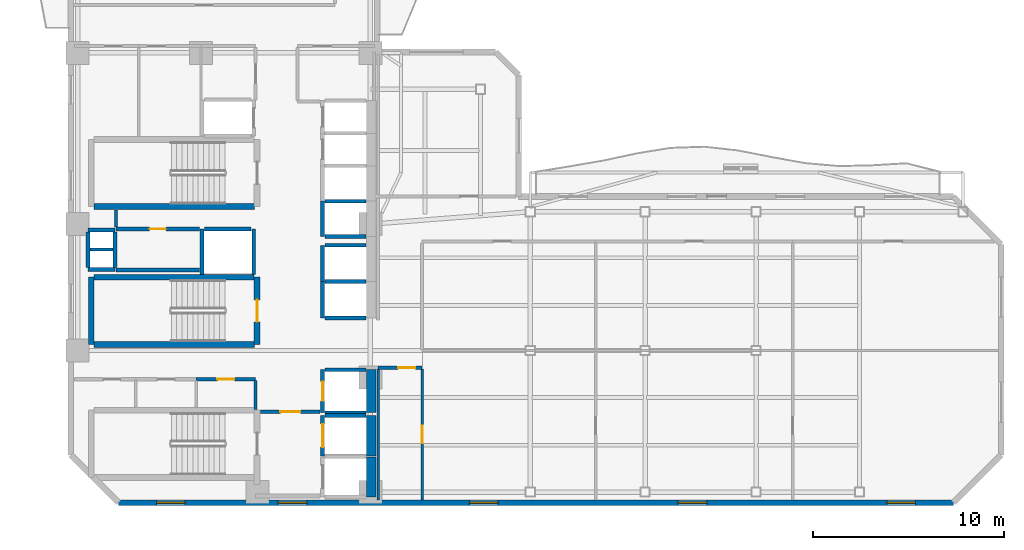
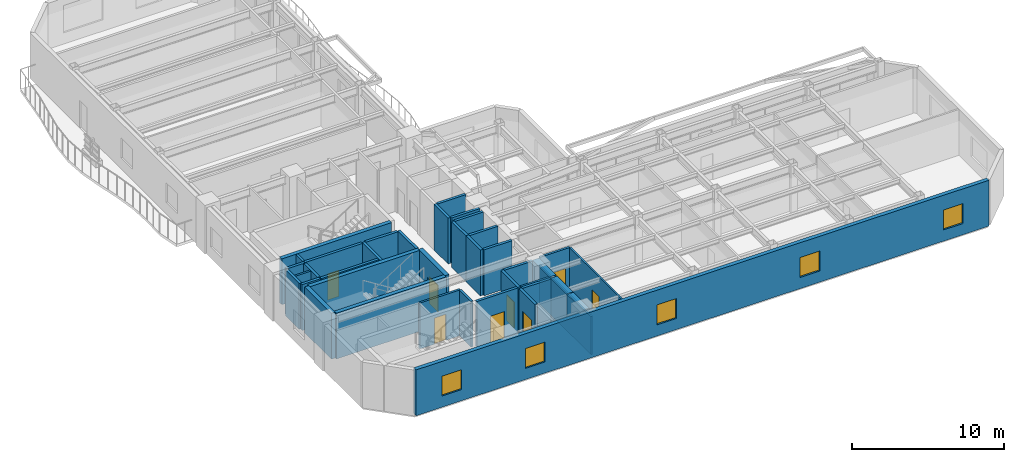
# One storey, part 3 of 9: 39 walls, 8 doors, 5 windows, 13 openings.
"""IFC4 building model written with IfcOpenShell, lengths in metres."""

from ifc_helpers import new_model, si_unit, direction, frame, frame_2d, origin, place, context, subcontext, project, spatial, rectangle, extrude, material, layer, layer_set, type_object, element, fill, save


model = new_model("IFC4")

# Units and contexts
model_context = context("Model", 3, precision=1e-05, world=origin(), true_north=direction((0.0, 1.0)))
body_context = subcontext(model_context, "Body", "Model", "MODEL_VIEW")
ifc_project = project(units=[si_unit("LENGTHUNIT", "METRE"), si_unit("AREAUNIT", "SQUARE_METRE"), si_unit("VOLUMEUNIT", "CUBIC_METRE"), si_unit("PLANEANGLEUNIT", "RADIAN"), si_unit("MASSUNIT", "GRAM", prefix="KILO")], contexts=[model_context])

# Site, building, storey
site_placement = place(None, origin())
site = spatial("IfcSite", under=ifc_project, at=site_placement, CompositionType="ELEMENT")
building_placement = place(site_placement, origin())
building = spatial("IfcBuilding", under=site, at=building_placement, Name="Mawjaban Terraces University", CompositionType="ELEMENT")
storey_placement = place(building_placement, frame((0.0, 0.0, 154.10009765625)))
storey = spatial("IfcBuildingStorey", under=building, at=storey_placement, Name="L37", CompositionType="ELEMENT", Elevation=154.10009765625)

# Walls
ifc_material_1 = material(Name="Concrete C60/75", Category="concrete")
ifc_layer_1 = layer(ifc_material_1, 0.5)
ifc_layer_set_1 = layer_set([ifc_layer_1], Name="Concrete C60/75")
wall_type_1 = type_object("IfcWallType", Name="CoreShearWall_500", PredefinedType="SHEAR", material=ifc_layer_set_1)
wall_1_placement = place(storey_placement, frame((37.699951171875, 0.300048828125, 0.0), z_axis=(0.0, 0.0, 1.0), x_axis=(0.0, 1.0, 0.0)))
element("IfcWall", 1, at=wall_1_placement, inside=storey, type_object=wall_type_1, Name="L37 Lift FL-1 Hoistway Wall East", PredefinedType="SHEAR", context=body_context, shape_type="SweptSolid", body=[
    extrude(rectangle(XDim=2.099853515625, YDim=0.5, at=frame_2d((1.0498046875, 0.0))), origin(), (0.0, 0.0, 1.0), 3.68994140625),
])
wall_2_placement = place(storey_placement, frame((37.699951171875, 2.449951171875, 0.0), z_axis=(0.0, 0.0, 1.0), x_axis=(0.0, 1.0, 0.0)))
element("IfcWall", 2, at=wall_2_placement, inside=storey, type_object=wall_type_1, Name="L37 Lift FL-2 Hoistway Wall East", PredefinedType="SHEAR", context=body_context, shape_type="SweptSolid", body=[
    extrude(rectangle(XDim=2.10009765625, YDim=0.5, at=frame_2d((1.050048828125, 0.0))), origin(), (0.0, 0.0, 1.0), 3.68994140625),
])
wall_3_placement = place(storey_placement, frame((37.699951171875, 4.699951171875, 0.0), z_axis=(0.0, 0.0, 1.0), x_axis=(0.0, 1.0, 0.0)))
element("IfcWall", 3, at=wall_3_placement, inside=storey, type_object=wall_type_1, Name="L37 Lift SL-1 Hoistway Wall East", PredefinedType="SHEAR", context=body_context, shape_type="SweptSolid", body=[
    extrude(rectangle(XDim=2.25, YDim=0.5, at=frame_2d((1.125, 0.0))), origin(), (0.0, 0.0, 1.0), 3.68994140625),
])

# Wall, opening, door
ifc_material_2 = material(Name="Fire-rated gypsum board on steel stud", Category="steel")
ifc_layer_2 = layer(ifc_material_2, 0.159912109375)
ifc_layer_set_2 = layer_set([ifc_layer_2], Name="Fire-rated gypsum board on steel stud")
wall_type_2 = type_object("IfcWallType", Name="CorridorPartition_160", PredefinedType="PARTITIONING", material=ifc_layer_set_2)
wall_4_placement = place(storey_placement, frame((28.550048828125, 6.449951171875, 0.0), z_axis=(0.0, 0.0, 1.0), x_axis=(1.0, 0.0, 0.0)))
wall_4 = element("IfcWall", 4, at=wall_4_placement, inside=storey, type_object=wall_type_2, Name="L37 Core Washroom Lobby Partition 6", PredefinedType="PARTITIONING", context=body_context, shape_type="SweptSolid", body=[
    extrude(rectangle(XDim=3.099853515625, YDim=0.159912109375, at=frame_2d((1.5498046875, 0.0))), origin(), (0.0, 0.0, 1.0), 3.68994140625),
])
opening_1_placement = place(wall_4_placement, frame((1.110107421875, 0.0, 0.0)))
opening_1 = element("IfcOpeningElement", 5, at=opening_1_placement, cuts=wall_4, Name="Opening ID-088", PredefinedType="OPENING", context=body_context, shape_type="SweptSolid", body=[
    extrude(rectangle(XDim=0.8798828125, YDim=2.10009765625, at=frame_2d((0.43994140625, 1.050048828125))), frame((0.0, 0.08984375, 0.0), z_axis=(0.0, -1.0, 0.0), x_axis=(1.0, 0.0, 0.0)), (0.0, 0.0, 1.0), 0.179931640625),
])
ifc_material_3 = material(Name="Powder-coated steel frame and solid acoustic timber leaf", Category="steel")
door_type_1 = type_object("IfcDoorType", Name="ToiletDoor_880x2100", OperationType="NOTDEFINED", PredefinedType="DOOR", material=ifc_material_3)
door_1_placement = place(opening_1_placement, origin())
door_1 = element("IfcDoor", 6, at=door_1_placement, inside=storey, type_object=door_type_1, Name="L37 Accessible Toilet Door", OperationType="SINGLE_SWING_LEFT", OverallHeight=2.10009765625, OverallWidth=0.8798828125, PredefinedType="DOOR", context=body_context, shape_type="SweptSolid", body=[
    extrude(rectangle(XDim=0.8798828125, YDim=2.10009765625, at=frame_2d((0.43994140625, 1.050048828125))), frame((0.0, 0.02490234375, 0.0), z_axis=(0.0, -1.0, 0.0), x_axis=(1.0, 0.0, 0.0)), (0.0, 0.0, 1.0), 0.050048828125),
])
fill(opening_1, door_1)

wall_5_placement = place(storey_placement, frame((38.050048828125, 7.050048828125, 0.0), z_axis=(0.0, 0.0, 1.0), x_axis=(1.0, 0.0, 0.0)))
wall_5 = element("IfcWall", 7, at=wall_5_placement, inside=storey, type_object=wall_type_2, Name="L37 Inner Gallery Link Corridor Partition 17", PredefinedType="PARTITIONING", context=body_context, shape_type="SweptSolid", body=[
    extrude(rectangle(XDim=2.300048828125, YDim=0.159912109375, at=frame_2d((1.14990234375, 0.0))), origin(), (0.0, 0.0, 1.0), 3.68994140625),
])
opening_2_placement = place(wall_5_placement, frame((1.050048828125, 0.0, 0.0)))
opening_2 = element("IfcOpeningElement", 8, at=opening_2_placement, cuts=wall_5, Name="Opening ID-090", PredefinedType="OPENING", context=body_context, shape_type="SweptSolid", body=[
    extrude(rectangle(XDim=0.89990234375, YDim=2.10009765625, at=frame_2d((0.449951171875, 1.050048828125))), frame((0.0, 0.08984375, 0.0), z_axis=(0.0, -1.0, 0.0), x_axis=(1.0, 0.0, 0.0)), (0.0, 0.0, 1.0), 0.179931640625),
])
door_type_2 = type_object("IfcDoorType", Name="OfficeDoor_900x2100", OperationType="NOTDEFINED", PredefinedType="DOOR", material=ifc_material_3)
door_2_placement = place(opening_2_placement, origin())
door_2 = element("IfcDoor", 9, at=door_2_placement, inside=storey, type_object=door_type_2, Name="L37 Academic Counseling Room 1 Door", OperationType="SINGLE_SWING_LEFT", OverallHeight=2.10009765625, OverallWidth=0.89990234375, PredefinedType="DOOR", context=body_context, shape_type="SweptSolid", body=[
    extrude(rectangle(XDim=0.89990234375, YDim=2.10009765625, at=frame_2d((0.449951171875, 1.050048828125))), frame((0.0, 0.02490234375, 0.0), z_axis=(0.0, -1.0, 0.0), x_axis=(1.0, 0.0, 0.0)), (0.0, 0.0, 1.0), 0.050048828125),
])
fill(opening_2, door_2)

# Walls
wall_6_placement = place(storey_placement, frame((24.35009765625, 15.2900390625, 0.0), z_axis=(0.0, 0.0, 1.0), x_axis=(0.0, -1.0, 0.0)))
element("IfcWall", 10, at=wall_6_placement, inside=storey, type_object=wall_type_2, Name="L37 Core Riser Access Passage Partition 26", PredefinedType="PARTITIONING", context=body_context, shape_type="SweptSolid", body=[
    extrude(rectangle(XDim=0.89501953125, YDim=0.159912109375, at=frame_2d((0.447509765625, 0.0))), origin(), (0.0, 0.0, 1.0), 3.68994140625),
])
wall_7_placement = place(storey_placement, frame((31.64990234375, 4.860107421875, 0.0), z_axis=(0.0, 0.0, 1.0), x_axis=(0.0, 1.0, 0.0)))
element("IfcWall", 11, at=wall_7_placement, inside=storey, type_object=wall_type_2, Name="L37 Accessible Toilet Partition 31", PredefinedType="PARTITIONING", context=body_context, shape_type="SweptSolid", body=[
    extrude(rectangle(XDim=1.514892578125, YDim=0.159912109375, at=frame_2d((0.75732421875, 0.0))), origin(), (0.0, 0.0, 1.0), 3.68994140625),
])

# Wall, openings, windows
ifc_material_4 = material(Name="Insulated terracotta rainscreen on concrete backup C40/50", Category="masonry")
ifc_layer_3 = layer(ifc_material_4, 0.300048828125)
ifc_layer_set_3 = layer_set([ifc_layer_3], Name="Insulated terracotta rainscreen on concrete backup C40/50")
wall_type_3 = type_object("IfcWallType", Name="ExtTerracottaWall_300", PredefinedType="SOLIDWALL", material=ifc_layer_set_3)
wall_8_placement = place(storey_placement, frame((24.5, 0.0, 0.0), z_axis=(0.0, 0.0, 1.0), x_axis=(1.0, 0.0, 0.0)))
wall_8 = element("IfcWall", 12, at=wall_8_placement, inside=storey, type_object=wall_type_3, Name="L37 Exterior Terracotta Wall 1", PredefinedType="SOLIDWALL", context=body_context, shape_type="SweptSolid", body=[
    extrude(rectangle(XDim=43.60009765625, YDim=0.300048828125, at=frame_2d((21.800048828125, 0.0))), origin(), (0.0, 0.0, 1.0), 3.68994140625),
])
opening_3_placement = place(wall_8_placement, frame((1.97509765625, 0.0, 0.89990234375)))
opening_3 = element("IfcOpeningElement", 13, at=opening_3_placement, cuts=wall_8, Name="Opening W-02", PredefinedType="OPENING", context=body_context, shape_type="SweptSolid", body=[
    extrude(rectangle(XDim=1.5, YDim=1.60009765625, at=frame_2d((0.75, 0.800048828125))), frame((0.0, 0.159912109375, 0.0), z_axis=(0.0, -1.0, 0.0), x_axis=(1.0, 0.0, 0.0)), (0.0, 0.0, 1.0), 0.320068359375),
])
opening_4_placement = place(wall_8_placement, frame((8.324951171875, 0.0, 0.89990234375)))
opening_4 = element("IfcOpeningElement", 14, at=opening_4_placement, cuts=wall_8, Name="Opening W-02", PredefinedType="OPENING", context=body_context, shape_type="SweptSolid", body=[
    extrude(rectangle(XDim=1.5, YDim=1.60009765625, at=frame_2d((0.75, 0.800048828125))), frame((0.0, 0.159912109375, 0.0), z_axis=(0.0, -1.0, 0.0), x_axis=(1.0, 0.0, 0.0)), (0.0, 0.0, 1.0), 0.320068359375),
])
opening_5_placement = place(wall_8_placement, frame((18.324951171875, 0.0, 0.89990234375)))
opening_5 = element("IfcOpeningElement", 15, at=opening_5_placement, cuts=wall_8, Name="Opening W-02", PredefinedType="OPENING", context=body_context, shape_type="SweptSolid", body=[
    extrude(rectangle(XDim=1.5, YDim=1.60009765625, at=frame_2d((0.75, 0.800048828125))), frame((0.0, 0.159912109375, 0.0), z_axis=(0.0, -1.0, 0.0), x_axis=(1.0, 0.0, 0.0)), (0.0, 0.0, 1.0), 0.320068359375),
])
opening_6_placement = place(wall_8_placement, frame((29.22509765625, 0.0, 0.89990234375)))
opening_6 = element("IfcOpeningElement", 16, at=opening_6_placement, cuts=wall_8, Name="Opening W-02", PredefinedType="OPENING", context=body_context, shape_type="SweptSolid", body=[
    extrude(rectangle(XDim=1.5, YDim=1.60009765625, at=frame_2d((0.75, 0.800048828125))), frame((0.0, 0.159912109375, 0.0), z_axis=(0.0, -1.0, 0.0), x_axis=(1.0, 0.0, 0.0)), (0.0, 0.0, 1.0), 0.320068359375),
])
opening_7_placement = place(wall_8_placement, frame((40.125, 0.0, 0.89990234375)))
opening_7 = element("IfcOpeningElement", 17, at=opening_7_placement, cuts=wall_8, Name="Opening W-02", PredefinedType="OPENING", context=body_context, shape_type="SweptSolid", body=[
    extrude(rectangle(XDim=1.5, YDim=1.60009765625, at=frame_2d((0.75, 0.800048828125))), frame((0.0, 0.159912109375, 0.0), z_axis=(0.0, -1.0, 0.0), x_axis=(1.0, 0.0, 0.0)), (0.0, 0.0, 1.0), 0.320068359375),
])
ifc_material_5 = material(Name="Low-E solar-control double glazing in thermally broken aluminium frame", Category="aluminium")
window_type = type_object("IfcWindowType", Name="Win_1500x1600", PartitioningType="SINGLE_PANEL", PredefinedType="WINDOW", material=ifc_material_5)
window_1_placement = place(opening_3_placement, origin())
window_1 = element("IfcWindow", 18, at=window_1_placement, inside=storey, type_object=window_type, Name="L37 Facade Window 1.1", OverallHeight=1.60009765625, OverallWidth=1.5, PartitioningType="SINGLE_PANEL", PredefinedType="WINDOW", context=body_context, shape_type="SweptSolid", body=[
    extrude(rectangle(XDim=1.5, YDim=1.60009765625, at=frame_2d((0.75, 0.800048828125))), frame((0.0, 0.030029296875, 0.0), z_axis=(0.0, -1.0, 0.0), x_axis=(1.0, 0.0, 0.0)), (0.0, 0.0, 1.0), 0.06005859375),
])
fill(opening_3, window_1)
window_2_placement = place(opening_4_placement, origin())
window_2 = element("IfcWindow", 19, at=window_2_placement, inside=storey, type_object=window_type, Name="L37 Facade Window 1.2", OverallHeight=1.60009765625, OverallWidth=1.5, PartitioningType="SINGLE_PANEL", PredefinedType="WINDOW", context=body_context, shape_type="SweptSolid", body=[
    extrude(rectangle(XDim=1.5, YDim=1.60009765625, at=frame_2d((0.75, 0.800048828125))), frame((0.0, 0.030029296875, 0.0), z_axis=(0.0, -1.0, 0.0), x_axis=(1.0, 0.0, 0.0)), (0.0, 0.0, 1.0), 0.06005859375),
])
fill(opening_4, window_2)
window_3_placement = place(opening_5_placement, origin())
window_3 = element("IfcWindow", 20, at=window_3_placement, inside=storey, type_object=window_type, Name="L37 Facade Window 1.4", OverallHeight=1.60009765625, OverallWidth=1.5, PartitioningType="SINGLE_PANEL", PredefinedType="WINDOW", context=body_context, shape_type="SweptSolid", body=[
    extrude(rectangle(XDim=1.5, YDim=1.60009765625, at=frame_2d((0.75, 0.800048828125))), frame((0.0, 0.030029296875, 0.0), z_axis=(0.0, -1.0, 0.0), x_axis=(1.0, 0.0, 0.0)), (0.0, 0.0, 1.0), 0.06005859375),
])
fill(opening_5, window_3)
window_4_placement = place(opening_6_placement, origin())
window_4 = element("IfcWindow", 21, at=window_4_placement, inside=storey, type_object=window_type, Name="L37 Facade Window 1.6", OverallHeight=1.60009765625, OverallWidth=1.5, PartitioningType="SINGLE_PANEL", PredefinedType="WINDOW", context=body_context, shape_type="SweptSolid", body=[
    extrude(rectangle(XDim=1.5, YDim=1.60009765625, at=frame_2d((0.75, 0.800048828125))), frame((0.0, 0.030029296875, 0.0), z_axis=(0.0, -1.0, 0.0), x_axis=(1.0, 0.0, 0.0)), (0.0, 0.0, 1.0), 0.06005859375),
])
fill(opening_6, window_4)
window_5_placement = place(opening_7_placement, origin())
window_5 = element("IfcWindow", 22, at=window_5_placement, inside=storey, type_object=window_type, Name="L37 Facade Window 1.8", OverallHeight=1.60009765625, OverallWidth=1.5, PartitioningType="SINGLE_PANEL", PredefinedType="WINDOW", context=body_context, shape_type="SweptSolid", body=[
    extrude(rectangle(XDim=1.5, YDim=1.60009765625, at=frame_2d((0.75, 0.800048828125))), frame((0.0, 0.030029296875, 0.0), z_axis=(0.0, -1.0, 0.0), x_axis=(1.0, 0.0, 0.0)), (0.0, 0.0, 1.0), 0.06005859375),
])
fill(opening_7, window_5)

# Wall, opening, door
ifc_material_6 = material(Name="Concrete C40/50", Category="concrete")
ifc_layer_4 = layer(ifc_material_6, 0.199951171875)
ifc_layer_set_4 = layer_set([ifc_layer_4], Name="Concrete C40/50")
wall_type_4 = type_object("IfcWallType", Name="FireLobbyWall_200", PredefinedType="SOLIDWALL", material=ifc_layer_set_4)
wall_9_placement = place(storey_placement, frame((35.14990234375, 4.550048828125, 0.0), z_axis=(0.0, 0.0, 1.0), x_axis=(0.0, -1.0, 0.0)))
wall_9 = element("IfcWall", 23, at=wall_9_placement, inside=storey, type_object=wall_type_4, Name="L37 Lift FL-2 Hoistway Wall West", PredefinedType="SOLIDWALL", context=body_context, shape_type="SweptSolid", body=[
    extrude(rectangle(XDim=2.10009765625, YDim=0.199951171875, at=frame_2d((1.050048828125, 0.0))), origin(), (0.0, 0.0, 1.0), 3.68994140625),
])
opening_8_placement = place(wall_9_placement, frame((0.449951171875, 0.0, 0.0)))
opening_8 = element("IfcOpeningElement", 24, at=opening_8_placement, cuts=wall_9, Name="Opening LD-FL-2", PredefinedType="OPENING", context=body_context, shape_type="SweptSolid", body=[
    extrude(rectangle(XDim=1.199951171875, YDim=2.14990234375, at=frame_2d((0.60009765625, 1.074951171875))), frame((0.0, 0.10986328125, 0.0), z_axis=(0.0, -1.0, 0.0), x_axis=(1.0, 0.0, 0.0)), (0.0, 0.0, 1.0), 0.219970703125),
])
ifc_material_7 = material(Name="Powder-coated steel frame and fire-rated steel-faced leaf", Category="steel")
door_type_3 = type_object("IfcDoorType", Name="LiftLandingFSAE_1200x2150", OperationType="NOTDEFINED", PredefinedType="DOOR", material=ifc_material_7)
door_3_placement = place(opening_8_placement, origin())
door_3 = element("IfcDoor", 25, at=door_3_placement, inside=storey, type_object=door_type_3, Name="L37 Lift FL-2 Sliding Landing Door", OperationType="DOUBLE_DOOR_SLIDING", OverallHeight=2.14990234375, OverallWidth=1.199951171875, PredefinedType="DOOR", context=body_context, shape_type="SweptSolid", body=[
    extrude(rectangle(XDim=1.199951171875, YDim=2.14990234375, at=frame_2d((0.60009765625, 1.074951171875))), frame((0.0, 0.02490234375, 0.0), z_axis=(0.0, -1.0, 0.0), x_axis=(1.0, 0.0, 0.0)), (0.0, 0.0, 1.0), 0.050048828125),
])
fill(opening_8, door_3)

# Wall
wall_10_placement = place(storey_placement, frame((37.419921875, 4.550048828125, 0.0), z_axis=(0.0, 0.0, 1.0), x_axis=(-1.0, 0.0, 0.0)))
element("IfcWall", 26, at=wall_10_placement, inside=storey, type_object=wall_type_4, Name="L37 Lift FL-2 Hoistway Wall North", PredefinedType="SOLIDWALL", context=body_context, shape_type="SweptSolid", body=[
    extrude(rectangle(XDim=2.139892578125, YDim=0.199951171875, at=frame_2d((1.06982421875, 0.0))), origin(), (0.0, 0.0, 1.0), 3.68994140625),
])

# Wall, opening, door
wall_11_placement = place(storey_placement, frame((35.14990234375, 6.949951171875, 0.0), z_axis=(0.0, 0.0, 1.0), x_axis=(0.0, -1.0, 0.0)))
wall_11 = element("IfcWall", 27, at=wall_11_placement, inside=storey, type_object=wall_type_4, Name="L37 Lift SL-1 Hoistway Wall West", PredefinedType="SOLIDWALL", context=body_context, shape_type="SweptSolid", body=[
    extrude(rectangle(XDim=2.25, YDim=0.199951171875, at=frame_2d((1.125, 0.0))), origin(), (0.0, 0.0, 1.0), 3.68994140625),
])
opening_9_placement = place(wall_11_placement, frame((0.625, 0.0, 0.0)))
opening_9 = element("IfcOpeningElement", 28, at=opening_9_placement, cuts=wall_11, Name="Opening LD-SL-1", PredefinedType="OPENING", context=body_context, shape_type="SweptSolid", body=[
    extrude(rectangle(XDim=1.0, YDim=2.10009765625, at=frame_2d((0.5, 1.050048828125))), frame((0.0, 0.10986328125, 0.0), z_axis=(0.0, -1.0, 0.0), x_axis=(1.0, 0.0, 0.0)), (0.0, 0.0, 1.0), 0.219970703125),
])
door_type_4 = type_object("IfcDoorType", Name="LiftLandingSliding_1000x2100", OperationType="NOTDEFINED", PredefinedType="DOOR", material=ifc_material_7)
door_4_placement = place(opening_9_placement, origin())
door_4 = element("IfcDoor", 29, at=door_4_placement, inside=storey, type_object=door_type_4, Name="L37 Lift SL-1 Sliding Landing Door", OperationType="DOUBLE_DOOR_SLIDING", OverallHeight=2.10009765625, OverallWidth=1.0, PredefinedType="DOOR", context=body_context, shape_type="SweptSolid", body=[
    extrude(rectangle(XDim=1.0, YDim=2.10009765625, at=frame_2d((0.5, 1.050048828125))), frame((0.0, 0.02490234375, 0.0), z_axis=(0.0, -1.0, 0.0), x_axis=(1.0, 0.0, 0.0)), (0.0, 0.0, 1.0), 0.050048828125),
])
fill(opening_9, door_4)

# Walls
for number, where, z_axis, x_axis, name in (
    (30, (35.280029296875, 4.699951171875, 0.0), (0.0, 0.0, 1.0), (1.0, 0.0, 0.0), "L37 Lift SL-1 Hoistway Wall South"),
    (31, (37.419921875, 6.949951171875, 0.0), (0.0, 0.0, 1.0), (-1.0, 0.0, 0.0), "L37 Lift SL-1 Hoistway Wall North"),
):
    element("IfcWall", number, at=place(storey_placement, frame(where, z_axis=z_axis, x_axis=x_axis)), inside=storey, type_object=wall_type_4, Name=name, PredefinedType="SOLIDWALL", context=body_context, shape_type="SweptSolid", body=[
        extrude(rectangle(XDim=2.139892578125, YDim=0.199951171875, at=frame_2d((1.06982421875, 0.0))), origin(), (0.0, 0.0, 1.0), 3.68994140625),
    ])
wall_12_placement = place(storey_placement, frame((35.14990234375, 11.550048828125, 0.0), z_axis=(0.0, 0.0, 1.0), x_axis=(0.0, -1.0, 0.0)))
element("IfcWall", 32, at=wall_12_placement, inside=storey, type_object=wall_type_4, Name="L37 Lift PL-H1 Hoistway Wall West", PredefinedType="SOLIDWALL", context=body_context, shape_type="SweptSolid", body=[
    extrude(rectangle(XDim=1.900146484375, YDim=0.199951171875, at=frame_2d((0.9501953125, 0.0))), origin(), (0.0, 0.0, 1.0), 3.68994140625),
])
for number, where, z_axis, x_axis, name in (
    (33, (35.280029296875, 9.64990234375, 0.0), (0.0, 0.0, 1.0), (1.0, 0.0, 0.0), "L37 Lift PL-H1 Hoistway Wall South"),
    (34, (37.419921875, 11.550048828125, 0.0), (0.0, 0.0, 1.0), (-1.0, 0.0, 0.0), "L37 Lift PL-H1 Hoistway Wall North"),
):
    element("IfcWall", number, at=place(storey_placement, frame(where, z_axis=z_axis, x_axis=x_axis)), inside=storey, type_object=wall_type_4, Name=name, PredefinedType="SOLIDWALL", context=body_context, shape_type="SweptSolid", body=[
        extrude(rectangle(XDim=2.139892578125, YDim=0.199951171875, at=frame_2d((1.06982421875, 0.0))), origin(), (0.0, 0.0, 1.0), 3.68994140625),
    ])
wall_13_placement = place(storey_placement, frame((35.14990234375, 13.449951171875, 0.0), z_axis=(0.0, 0.0, 1.0), x_axis=(0.0, -1.0, 0.0)))
element("IfcWall", 35, at=wall_13_placement, inside=storey, type_object=wall_type_4, Name="L37 Lift PL-H2 Hoistway Wall West", PredefinedType="SOLIDWALL", context=body_context, shape_type="SweptSolid", body=[
    extrude(rectangle(XDim=1.89990234375, YDim=0.199951171875, at=frame_2d((0.949951171875, 0.0))), origin(), (0.0, 0.0, 1.0), 3.68994140625),
])
wall_14_placement = place(storey_placement, frame((37.419921875, 13.449951171875, 0.0), z_axis=(0.0, 0.0, 1.0), x_axis=(-1.0, 0.0, 0.0)))
element("IfcWall", 36, at=wall_14_placement, inside=storey, type_object=wall_type_4, Name="L37 Lift PL-H2 Hoistway Wall North", PredefinedType="SOLIDWALL", context=body_context, shape_type="SweptSolid", body=[
    extrude(rectangle(XDim=2.139892578125, YDim=0.199951171875, at=frame_2d((1.06982421875, 0.0))), origin(), (0.0, 0.0, 1.0), 3.68994140625),
])
for number, where, z_axis, x_axis, name in (
    (37, (28.85009765625, 14.300048828125, 0.0), (0.0, 0.0, 1.0), (0.0, -1.0, 0.0), "L37 Lift PL-H3 Hoistway Wall West"),
    (38, (31.550048828125, 11.929931640625, 0.0), (0.0, 0.0, 1.0), (0.0, 1.0, 0.0), "L37 Lift PL-H3 Hoistway Wall East"),
):
    element("IfcWall", number, at=place(storey_placement, frame(where, z_axis=z_axis, x_axis=x_axis)), inside=storey, type_object=wall_type_4, Name=name, PredefinedType="SOLIDWALL", context=body_context, shape_type="SweptSolid", body=[
        extrude(rectangle(XDim=2.3701171875, YDim=0.199951171875, at=frame_2d((1.18505859375, 0.0))), origin(), (0.0, 0.0, 1.0), 3.68994140625),
    ])
wall_15_placement = place(storey_placement, frame((31.419921875, 14.300048828125, 0.0), z_axis=(0.0, 0.0, 1.0), x_axis=(-1.0, 0.0, 0.0)))
element("IfcWall", 39, at=wall_15_placement, inside=storey, type_object=wall_type_4, Name="L37 Lift PL-H3 Hoistway Wall North", PredefinedType="SOLIDWALL", context=body_context, shape_type="SweptSolid", body=[
    extrude(rectangle(XDim=2.43994140625, YDim=0.199951171875, at=frame_2d((1.219970703125, 0.0))), origin(), (0.0, 0.0, 1.0), 3.68994140625),
])
wall_16_placement = place(storey_placement, frame((35.14990234375, 15.75, 0.0), z_axis=(0.0, 0.0, 1.0), x_axis=(0.0, -1.0, 0.0)))
element("IfcWall", 40, at=wall_16_placement, inside=storey, type_object=wall_type_4, Name="L37 Lift OL-1 Hoistway Wall West", PredefinedType="SOLIDWALL", context=body_context, shape_type="SweptSolid", body=[
    extrude(rectangle(XDim=1.85009765625, YDim=0.199951171875, at=frame_2d((0.925048828125, 0.0))), origin(), (0.0, 0.0, 1.0), 3.68994140625),
])
for number, where, z_axis, x_axis, name in (
    (41, (35.280029296875, 13.89990234375, 0.0), (0.0, 0.0, 1.0), (1.0, 0.0, 0.0), "L37 Lift OL-1 Hoistway Wall South"),
    (42, (37.419921875, 15.75, 0.0), (0.0, 0.0, 1.0), (-1.0, 0.0, 0.0), "L37 Lift OL-1 Hoistway Wall North"),
):
    element("IfcWall", number, at=place(storey_placement, frame(where, z_axis=z_axis, x_axis=x_axis)), inside=storey, type_object=wall_type_4, Name=name, PredefinedType="SOLIDWALL", context=body_context, shape_type="SweptSolid", body=[
        extrude(rectangle(XDim=2.139892578125, YDim=0.199951171875, at=frame_2d((1.06982421875, 0.0))), origin(), (0.0, 0.0, 1.0), 3.68994140625),
    ])
for number, where, z_axis, x_axis, name in (
    (43, (22.89990234375, 14.25, 0.0), (0.0, 0.0, 1.0), (1.0, 0.0, 0.0), "L37 MEP Riser Shaft Wall N"),
    (44, (22.89990234375, 12.179931640625, 0.0), (0.0, 0.0, 1.0), (1.0, 0.0, 0.0), "L37 MEP Riser Shaft Wall S"),
):
    element("IfcWall", number, at=place(storey_placement, frame(where, z_axis=z_axis, x_axis=x_axis)), inside=storey, type_object=wall_type_4, Name=name, PredefinedType="SOLIDWALL", context=body_context, shape_type="SweptSolid", body=[
        extrude(rectangle(XDim=1.400146484375, YDim=0.199951171875, at=frame_2d((0.7001953125, 0.0))), origin(), (0.0, 0.0, 1.0), 3.68994140625),
    ])
for number, where, z_axis, x_axis, name in (
    (45, (24.300048828125, 12.300048828125, 0.0), (0.0, 0.0, 1.0), (0.0, 1.0, 0.0), "L37 MEP Riser Shaft Wall E"),
    (46, (22.89990234375, 12.300048828125, 0.0), (0.0, 0.0, 1.0), (0.0, 1.0, 0.0), "L37 MEP Riser Shaft Wall W"),
):
    element("IfcWall", number, at=place(storey_placement, frame(where, z_axis=z_axis, x_axis=x_axis)), inside=storey, type_object=wall_type_4, Name=name, PredefinedType="SOLIDWALL", context=body_context, shape_type="SweptSolid", body=[
        extrude(rectangle(XDim=1.829833984375, YDim=0.199951171875, at=frame_2d((0.9150390625, 0.0))), origin(), (0.0, 0.0, 1.0), 3.68994140625),
    ])
wall_17_placement = place(storey_placement, frame((24.35009765625, 12.14990234375, 0.0), z_axis=(0.0, 0.0, 1.0), x_axis=(1.0, 0.0, 0.0)))
element("IfcWall", 47, at=wall_17_placement, inside=storey, type_object=wall_type_4, Name="L37 IT and Telecoms Riser Room Partition 2", PredefinedType="SOLIDWALL", context=body_context, shape_type="SweptSolid", body=[
    extrude(rectangle(XDim=4.369873046875, YDim=0.199951171875, at=frame_2d((2.18505859375, 0.0))), origin(), (0.0, 0.0, 1.0), 3.68994140625),
])

# Wall, opening, door
wall_18_placement = place(storey_placement, frame((24.35009765625, 14.300048828125, 0.0), z_axis=(0.0, 0.0, 1.0), x_axis=(1.0, 0.0, 0.0)))
wall_18 = element("IfcWall", 48, at=wall_18_placement, inside=storey, type_object=wall_type_4, Name="L37 Core Riser Access Passage Partition 3", PredefinedType="SOLIDWALL", context=body_context, shape_type="SweptSolid", body=[
    extrude(rectangle(XDim=4.369873046875, YDim=0.199951171875, at=frame_2d((2.18505859375, 0.0))), origin(), (0.0, 0.0, 1.0), 3.68994140625),
])
opening_10_placement = place(wall_18_placement, frame((1.760009765625, 0.0, 0.0)))
opening_10 = element("IfcOpeningElement", 49, at=opening_10_placement, cuts=wall_18, Name="Opening FD-085", PredefinedType="OPENING", context=body_context, shape_type="SweptSolid", body=[
    extrude(rectangle(XDim=0.85009765625, YDim=2.10009765625, at=frame_2d((0.425048828125, 1.050048828125))), frame((0.0, 0.10986328125, 0.0), z_axis=(0.0, -1.0, 0.0), x_axis=(1.0, 0.0, 0.0)), (0.0, 0.0, 1.0), 0.219970703125),
])
door_type_5 = type_object("IfcDoorType", Name="FireRiserDoor_850x2100", OperationType="NOTDEFINED", PredefinedType="DOOR", material=ifc_material_7)
door_5_placement = place(opening_10_placement, origin())
door_5 = element("IfcDoor", 50, at=door_5_placement, inside=storey, type_object=door_type_5, Name="L37 IT and Telecoms Riser Room Door", OperationType="SINGLE_SWING_RIGHT", OverallHeight=2.10009765625, OverallWidth=0.85009765625, PredefinedType="DOOR", context=body_context, shape_type="SweptSolid", body=[
    extrude(rectangle(XDim=0.85009765625, YDim=2.10009765625, at=frame_2d((0.425048828125, 1.050048828125))), frame((0.0, 0.02490234375, 0.0), z_axis=(0.0, -1.0, 0.0), x_axis=(1.0, 0.0, 0.0)), (0.0, 0.0, 1.0), 0.050048828125),
])
fill(opening_10, door_5)

wall_19_placement = place(storey_placement, frame((35.02001953125, 4.75, 0.0), z_axis=(0.0, 0.0, 1.0), x_axis=(-1.0, 0.0, 0.0)))
wall_19 = element("IfcWall", 51, at=wall_19_placement, inside=storey, type_object=wall_type_4, Name="L37 Firefighting Lift Lobby Partition 10", PredefinedType="SOLIDWALL", context=body_context, shape_type="SweptSolid", body=[
    extrude(rectangle(XDim=3.110107421875, YDim=0.199951171875, at=frame_2d((1.55517578125, 0.0))), origin(), (0.0, 0.0, 1.0), 3.68994140625),
])
opening_11_placement = place(wall_19_placement, frame((1.030029296875, 0.0, 0.0)))
opening_11 = element("IfcOpeningElement", 52, at=opening_11_placement, cuts=wall_19, Name="Opening FD-105", PredefinedType="OPENING", context=body_context, shape_type="SweptSolid", body=[
    extrude(rectangle(XDim=1.050048828125, YDim=2.14990234375, at=frame_2d((0.52490234375, 1.074951171875))), frame((0.0, 0.10986328125, 0.0), z_axis=(0.0, -1.0, 0.0), x_axis=(1.0, 0.0, 0.0)), (0.0, 0.0, 1.0), 0.219970703125),
])
door_type_6 = type_object("IfcDoorType", Name="FireLobbyDoor_1050x2150", OperationType="NOTDEFINED", PredefinedType="DOOR", material=ifc_material_7)
door_6_placement = place(opening_11_placement, origin())
door_6 = element("IfcDoor", 53, at=door_6_placement, inside=storey, type_object=door_type_6, Name="L37 Firefighting Lift Lobby Door", OperationType="SINGLE_SWING_RIGHT", OverallHeight=2.14990234375, OverallWidth=1.050048828125, PredefinedType="DOOR", context=body_context, shape_type="SweptSolid", body=[
    extrude(rectangle(XDim=1.050048828125, YDim=2.14990234375, at=frame_2d((0.52490234375, 1.074951171875))), frame((0.0, 0.02490234375, 0.0), z_axis=(0.0, -1.0, 0.0), x_axis=(1.0, 0.0, 0.0)), (0.0, 0.0, 1.0), 0.050048828125),
])
fill(opening_11, door_6)

# Walls
ifc_material_8 = material(Name="Moisture-resistant gypsum board on steel stud", Category="steel")
ifc_layer_5 = layer(ifc_material_8, 0.14501953125)
ifc_layer_set_5 = layer_set([ifc_layer_5], Name="Moisture-resistant gypsum board on steel stud")
wall_type_5 = type_object("IfcWallType", Name="LabPartition_145", PredefinedType="PARTITIONING", material=ifc_layer_set_5)
wall_20_placement = place(storey_placement, frame((23.010009765625, 13.22509765625, 0.0), z_axis=(0.0, 0.0, 1.0), x_axis=(1.0, 0.0, 0.0)))
element("IfcWall", 54, at=wall_20_placement, inside=storey, type_object=wall_type_5, Name="L37 MEP Riser Shaft Wall M", PredefinedType="PARTITIONING", context=body_context, shape_type="SweptSolid", body=[
    extrude(rectangle(XDim=1.179931640625, YDim=0.14501953125, at=frame_2d((0.58984375, 0.0))), origin(), (0.0, 0.0, 1.0), 3.68994140625),
])
ifc_material_9 = material(Name="Gypsum plasterboard on steel stud", Category="steel")
ifc_layer_6 = layer(ifc_material_9, 0.125)
ifc_layer_set_6 = layer_set([ifc_layer_6], Name="Gypsum plasterboard on steel stud")
wall_type_6 = type_object("IfcWallType", Name="OfficePartition_125", PredefinedType="PARTITIONING", material=ifc_layer_set_6)
wall_21_placement = place(storey_placement, frame((38.050048828125, 6.97509765625, 0.0), z_axis=(0.0, 0.0, 1.0), x_axis=(0.0, -1.0, 0.0)))
element("IfcWall", 55, at=wall_21_placement, inside=storey, type_object=wall_type_6, Name="L37 Academic Counseling Room 1 Partition 39", PredefinedType="PARTITIONING", context=body_context, shape_type="SweptSolid", body=[
    extrude(rectangle(XDim=6.830078125, YDim=0.125, at=frame_2d((3.4150390625, 0.0))), origin(), (0.0, 0.0, 1.0), 3.072998046875),
])

# Wall, opening, door
wall_22_placement = place(storey_placement, frame((40.35009765625, 0.14501953125, 0.0), z_axis=(0.0, 0.0, 1.0), x_axis=(0.0, 1.0, 0.0)))
wall_22 = element("IfcWall", 56, at=wall_22_placement, inside=storey, type_object=wall_type_6, Name="L37 Academic Counseling Room 1 Partition 42", PredefinedType="PARTITIONING", context=body_context, shape_type="SweptSolid", body=[
    extrude(rectangle(XDim=6.830078125, YDim=0.125, at=frame_2d((3.4150390625, 0.0))), origin(), (0.0, 0.0, 1.0), 3.68994140625),
])
opening_12_placement = place(wall_22_placement, frame((2.965087890625, 0.0, 0.0)))
opening_12 = element("IfcOpeningElement", 57, at=opening_12_placement, cuts=wall_22, Name="Opening ID-090", PredefinedType="OPENING", context=body_context, shape_type="SweptSolid", body=[
    extrude(rectangle(XDim=0.89990234375, YDim=2.10009765625, at=frame_2d((0.449951171875, 1.050048828125))), frame((0.0, 0.072509765625, 0.0), z_axis=(0.0, -1.0, 0.0), x_axis=(1.0, 0.0, 0.0)), (0.0, 0.0, 1.0), 0.14501953125),
])
door_7_placement = place(opening_12_placement, origin())
door_7 = element("IfcDoor", 58, at=door_7_placement, inside=storey, type_object=door_type_2, Name="L37 Academic Counseling Room 2 Door", OperationType="SINGLE_SWING_RIGHT", OverallHeight=2.10009765625, OverallWidth=0.89990234375, PredefinedType="DOOR", context=body_context, shape_type="SweptSolid", body=[
    extrude(rectangle(XDim=0.89990234375, YDim=2.10009765625, at=frame_2d((0.449951171875, 1.050048828125))), frame((0.0, 0.02490234375, 0.0), z_axis=(0.0, -1.0, 0.0), x_axis=(1.0, 0.0, 0.0)), (0.0, 0.0, 1.0), 0.050048828125),
])
fill(opening_12, door_7)

# Walls
ifc_layer_7 = layer(ifc_material_1, 0.300048828125)
ifc_layer_set_7 = layer_set([ifc_layer_7], Name="Concrete C60/75")
wall_type_7 = type_object("IfcWallType", Name="StairShaftWall_300", PredefinedType="SHEAR", material=ifc_layer_set_7)
for number, where, z_axis, x_axis, name in (
    (59, (23.219970703125, 15.469970703125, 0.0), (0.0, 0.0, 1.0), (1.0, 0.0, 0.0), "L37 ST-2 Stair Shaft Wall 3"),
    (60, (31.580078125, 11.780029296875, 0.0), (0.0, 0.0, 1.0), (-1.0, 0.0, 0.0), "L37 ST-3 Stair Shaft Wall 1"),
):
    element("IfcWall", number, at=place(storey_placement, frame(where, z_axis=z_axis, x_axis=x_axis)), inside=storey, type_object=wall_type_7, Name=name, PredefinedType="SHEAR", context=body_context, shape_type="SweptSolid", body=[
        extrude(rectangle(XDim=8.360107421875, YDim=0.300048828125, at=frame_2d((4.18017578125, 0.0))), origin(), (0.0, 0.0, 1.0), 3.68994140625),
    ])
wall_23_placement = place(storey_placement, frame((23.070068359375, 11.780029296875, 0.0), z_axis=(0.0, 0.0, 1.0), x_axis=(0.0, -1.0, 0.0)))
element("IfcWall", 61, at=wall_23_placement, inside=storey, type_object=wall_type_7, Name="L37 ST-3 Stair Shaft Wall 2", PredefinedType="SHEAR", context=body_context, shape_type="SweptSolid", body=[
    extrude(rectangle(XDim=3.510009765625, YDim=0.300048828125, at=frame_2d((1.7548828125, 0.0))), origin(), (0.0, 0.0, 1.0), 3.68994140625),
])
wall_24_placement = place(storey_placement, frame((23.219970703125, 8.27001953125, 0.0), z_axis=(0.0, 0.0, 1.0), x_axis=(1.0, 0.0, 0.0)))
element("IfcWall", 62, at=wall_24_placement, inside=storey, type_object=wall_type_7, Name="L37 ST-3 Stair Shaft Wall 3", PredefinedType="SHEAR", context=body_context, shape_type="SweptSolid", body=[
    extrude(rectangle(XDim=8.360107421875, YDim=0.300048828125, at=frame_2d((4.18017578125, 0.0))), origin(), (0.0, 0.0, 1.0), 3.68994140625),
])

# Wall, opening, door
wall_25_placement = place(storey_placement, frame((31.72998046875, 8.27001953125, 0.0), z_axis=(0.0, 0.0, 1.0), x_axis=(0.0, 1.0, 0.0)))
wall_25 = element("IfcWall", 63, at=wall_25_placement, inside=storey, type_object=wall_type_7, Name="L37 ST-3 Stair Shaft Wall 4", PredefinedType="SHEAR", context=body_context, shape_type="SweptSolid", body=[
    extrude(rectangle(XDim=3.510009765625, YDim=0.300048828125, at=frame_2d((1.7548828125, 0.0))), origin(), (0.0, 0.0, 1.0), 3.68994140625),
])
opening_13_placement = place(wall_25_placement, frame((1.179931640625, 0.0, 0.0)))
opening_13 = element("IfcOpeningElement", 64, at=opening_13_placement, cuts=wall_25, Name="Opening FD-115", PredefinedType="OPENING", context=body_context, shape_type="SweptSolid", body=[
    extrude(rectangle(XDim=1.14990234375, YDim=2.14990234375, at=frame_2d((0.574951171875, 1.074951171875))), frame((0.0, 0.159912109375, 0.0), z_axis=(0.0, -1.0, 0.0), x_axis=(1.0, 0.0, 0.0)), (0.0, 0.0, 1.0), 0.320068359375),
])
door_type_7 = type_object("IfcDoorType", Name="FireStairDoor_1150x2150", OperationType="NOTDEFINED", PredefinedType="DOOR", material=ifc_material_7)
door_8_placement = place(opening_13_placement, origin())
door_8 = element("IfcDoor", 65, at=door_8_placement, inside=storey, type_object=door_type_7, Name="L37 ST-3 Pressurised Stair Fire Door", OperationType="SINGLE_SWING_LEFT", OverallHeight=2.14990234375, OverallWidth=1.14990234375, PredefinedType="DOOR", context=body_context, shape_type="SweptSolid", body=[
    extrude(rectangle(XDim=1.14990234375, YDim=2.14990234375, at=frame_2d((0.574951171875, 1.074951171875))), frame((0.0, 0.02490234375, 0.0), z_axis=(0.0, -1.0, 0.0), x_axis=(1.0, 0.0, 0.0)), (0.0, 0.0, 1.0), 0.050048828125),
])
fill(opening_13, door_8)

save(model, "model.ifc")
